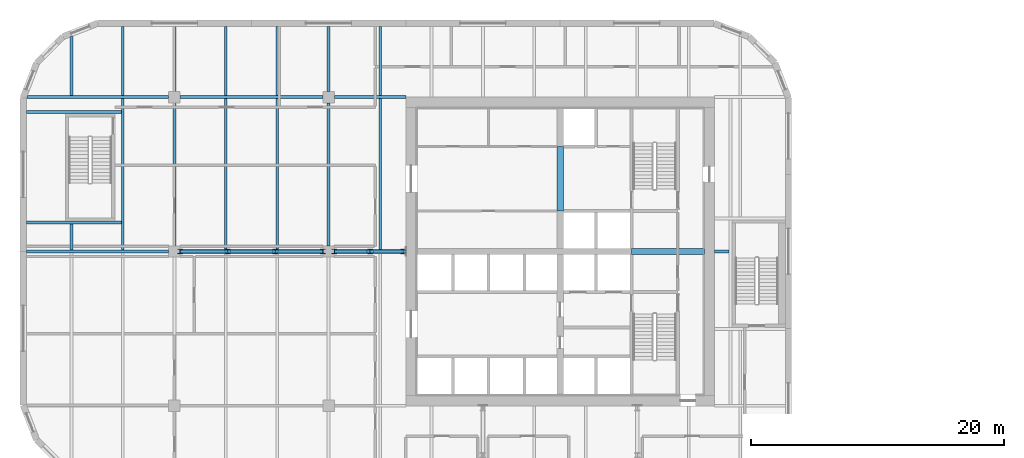
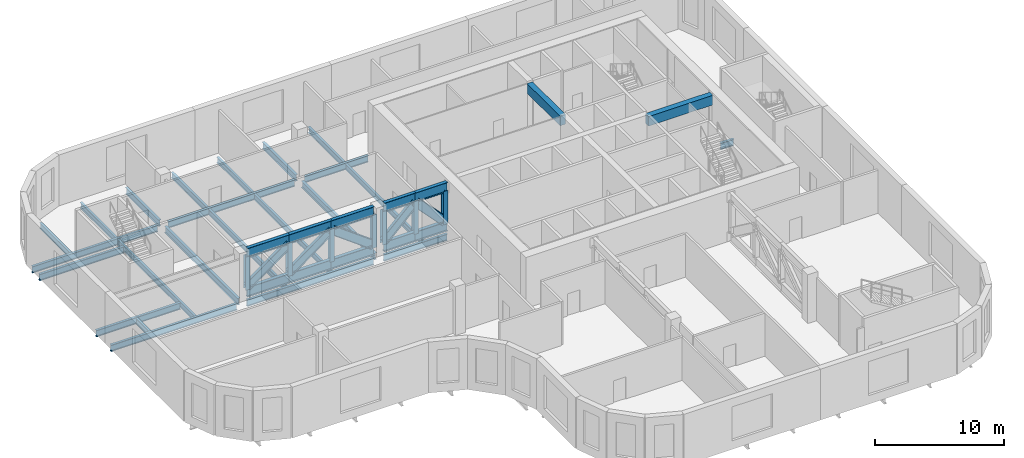
# One storey, part 3 of 21: 35 beams, 12 members.
"""IFC4 building model written with IfcOpenShell, lengths in metres."""

from ifc_helpers import new_model, si_unit, direction, frame, origin, origin_2d, place, context, subcontext, project, spatial, rectangle, i_section, extrude, material, material_profile, profile_set, type_object, element, save


model = new_model("IFC4")

# Units and contexts
model_context = context("Model", 3, precision=1e-05, world=origin(), true_north=direction((0.0, 1.0)))
body_context = subcontext(model_context, "Body", "Model", "MODEL_VIEW")
ifc_project = project(units=[si_unit("LENGTHUNIT", "METRE"), si_unit("AREAUNIT", "SQUARE_METRE"), si_unit("VOLUMEUNIT", "CUBIC_METRE"), si_unit("PLANEANGLEUNIT", "RADIAN"), si_unit("MASSUNIT", "GRAM", prefix="KILO")], contexts=[model_context])

# Site, building, storey
site_placement = place(None, origin())
site = spatial("IfcSite", under=ifc_project, at=site_placement, CompositionType="ELEMENT")
building_placement = place(site_placement, origin())
building = spatial("IfcBuilding", under=site, at=building_placement, Name="Tessera Gate Towers", CompositionType="ELEMENT")
storey_placement = place(building_placement, frame((0.0, 0.0, 63.800048828125)))
storey = spatial("IfcBuildingStorey", under=building, at=storey_placement, Name="L15", CompositionType="ELEMENT", Elevation=63.800048828125)

# Beams
ifc_material_1 = material(Name="Concrete C60/75", Category="concrete")
ifc_material_profile_1 = material_profile(ifc_material_1, rectangle(XDim=0.5, YDim=0.89990234375, at=origin_2d()), Name="RC 500x900")
ifc_profile_set_1 = profile_set([ifc_material_profile_1], Name="Concrete C60/75")
beam_type_1 = type_object("IfcBeamType", Name="COUPLING BEAM 500x900 C60/75", PredefinedType="BEAM", material=ifc_profile_set_1)
beam_1_placement = place(storey_placement, frame((48.35009765625, 36.60009765625, 4.14990234375), z_axis=(1.0, 0.0, 0.0), x_axis=(0.0, 1.0, 0.0)))
element("IfcBeam", 1, at=beam_1_placement, inside=storey, type_object=beam_type_1, Name="L15 coupling beam 1", PredefinedType="BEAM", context=body_context, shape_type="SweptSolid", body=[
    extrude(rectangle(XDim=0.5, YDim=0.89990234375, at=origin_2d()), origin(), (0.0, 0.0, 1.0), 5.75),
])
beam_2_placement = place(storey_placement, frame((42.699951171875, 39.800048828125, 4.14990234375), z_axis=(0.0, 1.0, 0.0), x_axis=(-1.0, 0.0, 0.0)))
element("IfcBeam", 2, at=beam_2_placement, inside=storey, type_object=beam_type_1, Name="L15 coupling beam 2", PredefinedType="BEAM", context=body_context, shape_type="SweptSolid", body=[
    extrude(rectangle(XDim=0.5, YDim=0.89990234375, at=origin_2d()), origin(), (0.0, 0.0, 1.0), 5.099853515625),
])
ifc_material_2 = material(Name="Steel 350W", Category="steel")
ifc_material_profile_2 = material_profile(ifc_material_2, i_section(OverallWidth=0.22900390625, OverallDepth=0.612060546875, WebThickness=0.011962890625, FlangeThickness=0.01953125, at=origin_2d()), Name="W610x125")
ifc_profile_set_2 = profile_set([ifc_material_profile_2], Name="Steel 350W")
beam_type_2 = type_object("IfcBeamType", Name="FLOOR GIRDER W610x125", PredefinedType="BEAM", material=ifc_profile_set_2)
beam_3_placement = place(storey_placement, frame((0.4990234375, 36.60009765625, -0.60595703125), z_axis=(1.0, 0.0, 0.0), x_axis=(0.0, 1.0, 0.0)))
element("IfcBeam", 3, at=beam_3_placement, inside=storey, type_object=beam_type_2, Name="T1-GD-L15-2116", PredefinedType="BEAM", context=body_context, shape_type="SweptSolid", body=[
    extrude(i_section(OverallWidth=0.22900390625, OverallDepth=0.612060546875, WebThickness=0.011962890625, FlangeThickness=0.01953125, at=origin_2d()), origin(), (0.0, 0.0, 1.0), 11.2509765625),
])
beam_4_placement = place(storey_placement, frame((12.64990234375, 36.60009765625, -0.60595703125), z_axis=(1.0, 0.0, 0.0), x_axis=(0.0, 1.0, 0.0)))
element("IfcBeam", 4, at=beam_4_placement, inside=storey, type_object=beam_type_2, Name="T1-GD-L15-2117", PredefinedType="BEAM", context=body_context, shape_type="SweptSolid", body=[
    extrude(i_section(OverallWidth=0.22900390625, OverallDepth=0.612060546875, WebThickness=0.011962890625, FlangeThickness=0.01953125, at=origin_2d()), origin(), (0.0, 0.0, 1.0), 11.300048828125),
])
beam_5_placement = place(storey_placement, frame((24.85009765625, 36.60009765625, -0.60595703125), z_axis=(1.0, 0.0, 0.0), x_axis=(0.0, 1.0, 0.0)))
element("IfcBeam", 5, at=beam_5_placement, inside=storey, type_object=beam_type_2, Name="T1-GD-L15-2118", PredefinedType="BEAM", context=body_context, shape_type="SweptSolid", body=[
    extrude(i_section(OverallWidth=0.22900390625, OverallDepth=0.612060546875, WebThickness=0.011962890625, FlangeThickness=0.01953125, at=origin_2d()), origin(), (0.0, 0.0, 1.0), 5.65087890625),
])
beam_6_placement = place(storey_placement, frame((54.89892578125, 36.60009765625, -0.60595703125), z_axis=(1.0, 0.0, 0.0), x_axis=(0.0, 1.0, 0.0)))
element("IfcBeam", 6, at=beam_6_placement, inside=storey, type_object=beam_type_2, Name="T1-GD-L15-2119", PredefinedType="BEAM", context=body_context, shape_type="SweptSolid", body=[
    extrude(i_section(OverallWidth=0.22900390625, OverallDepth=0.612060546875, WebThickness=0.011962890625, FlangeThickness=0.01953125, at=origin_2d()), origin(), (0.0, 0.0, 1.0), 1.16650390625),
])
beam_7_placement = place(storey_placement, frame((0.534912109375, 48.800048828125, -0.60595703125), z_axis=(1.0, 0.0, 0.0), x_axis=(0.0, 1.0, 0.0)))
element("IfcBeam", 7, at=beam_7_placement, inside=storey, type_object=beam_type_2, Name="T1-GD-L15-2120", PredefinedType="BEAM", context=body_context, shape_type="SweptSolid", body=[
    extrude(i_section(OverallWidth=0.22900390625, OverallDepth=0.612060546875, WebThickness=0.011962890625, FlangeThickness=0.01953125, at=origin_2d()), origin(), (0.0, 0.0, 1.0), 11.215087890625),
])
beam_8_placement = place(storey_placement, frame((12.64990234375, 48.800048828125, -0.60595703125), z_axis=(1.0, 0.0, 0.0), x_axis=(0.0, 1.0, 0.0)))
element("IfcBeam", 8, at=beam_8_placement, inside=storey, type_object=beam_type_2, Name="T1-GD-L15-2121", PredefinedType="BEAM", context=body_context, shape_type="SweptSolid", body=[
    extrude(i_section(OverallWidth=0.22900390625, OverallDepth=0.612060546875, WebThickness=0.011962890625, FlangeThickness=0.01953125, at=origin_2d()), origin(), (0.0, 0.0, 1.0), 11.300048828125),
])
beam_9_placement = place(storey_placement, frame((24.85009765625, 48.800048828125, -0.60595703125), z_axis=(1.0, 0.0, 0.0), x_axis=(0.0, 1.0, 0.0)))
element("IfcBeam", 9, at=beam_9_placement, inside=storey, type_object=beam_type_2, Name="T1-GD-L15-2122", PredefinedType="BEAM", context=body_context, shape_type="SweptSolid", body=[
    extrude(i_section(OverallWidth=0.22900390625, OverallDepth=0.612060546875, WebThickness=0.011962890625, FlangeThickness=0.01953125, at=origin_2d()), origin(), (0.0, 0.0, 1.0), 5.64892578125),
])
beam_10_placement = place(storey_placement, frame((12.199951171875, 37.050048828125, -0.60595703125), z_axis=(0.0, 1.0, 0.0), x_axis=(-1.0, 0.0, 0.0)))
element("IfcBeam", 10, at=beam_10_placement, inside=storey, type_object=beam_type_2, Name="T1-GD-L15-2126", PredefinedType="BEAM", context=body_context, shape_type="SweptSolid", body=[
    extrude(i_section(OverallWidth=0.22900390625, OverallDepth=0.612060546875, WebThickness=0.011962890625, FlangeThickness=0.01953125, at=origin_2d()), origin(), (0.0, 0.0, 1.0), 11.300048828125),
])
beam_11_placement = place(storey_placement, frame((12.199951171875, 49.25, -0.60595703125), z_axis=(0.0, 1.0, 0.0), x_axis=(-1.0, 0.0, 0.0)))
element("IfcBeam", 11, at=beam_11_placement, inside=storey, type_object=beam_type_2, Name="T1-GD-L15-2127", PredefinedType="BEAM", context=body_context, shape_type="SweptSolid", body=[
    extrude(i_section(OverallWidth=0.22900390625, OverallDepth=0.612060546875, WebThickness=0.011962890625, FlangeThickness=0.01953125, at=origin_2d()), origin(), (0.0, 0.0, 1.0), 5.15087890625),
])
beam_12_placement = place(storey_placement, frame((24.39990234375, 37.050048828125, -0.60595703125), z_axis=(0.0, 1.0, 0.0), x_axis=(-1.0, 0.0, 0.0)))
element("IfcBeam", 12, at=beam_12_placement, inside=storey, type_object=beam_type_2, Name="T1-GD-L15-2130", PredefinedType="BEAM", context=body_context, shape_type="SweptSolid", body=[
    extrude(i_section(OverallWidth=0.22900390625, OverallDepth=0.612060546875, WebThickness=0.011962890625, FlangeThickness=0.01953125, at=origin_2d()), origin(), (0.0, 0.0, 1.0), 11.300048828125),
])
beam_13_placement = place(storey_placement, frame((24.39990234375, 49.25, -0.60595703125), z_axis=(0.0, 1.0, 0.0), x_axis=(-1.0, 0.0, 0.0)))
element("IfcBeam", 13, at=beam_13_placement, inside=storey, type_object=beam_type_2, Name="T1-GD-L15-2131", PredefinedType="BEAM", context=body_context, shape_type="SweptSolid", body=[
    extrude(i_section(OverallWidth=0.22900390625, OverallDepth=0.612060546875, WebThickness=0.011962890625, FlangeThickness=0.01953125, at=origin_2d()), origin(), (0.0, 0.0, 1.0), 5.15087890625),
])
for number, where, z_axis, x_axis, name in (
    (14, (0.4990234375, 38.8798828125, -0.60595703125), (1.0, 0.0, 0.0), (0.0, 1.0, 0.0), "T1-GD-L15-2136"),
    (15, (0.4990234375, 47.6201171875, -0.60595703125), (1.0, 0.0, 0.0), (0.0, 1.0, 0.0), "T1-GD-L15-2137"),
):
    element("IfcBeam", number, at=place(storey_placement, frame(where, z_axis=z_axis, x_axis=x_axis)), inside=storey, type_object=beam_type_2, Name=name, PredefinedType="BEAM", context=body_context, shape_type="SweptSolid", body=[
        extrude(i_section(OverallWidth=0.22900390625, OverallDepth=0.612060546875, WebThickness=0.011962890625, FlangeThickness=0.01953125, at=origin_2d()), origin(), (0.0, 0.0, 1.0), 7.52978515625),
    ])
ifc_material_3 = material(Name="Steel 350W", Category="steel")
ifc_material_profile_3 = material_profile(ifc_material_3, i_section(OverallWidth=0.208984375, OverallDepth=0.528076171875, WebThickness=0.009521484375, FlangeThickness=0.01318359375, at=origin_2d()), Name="W530x82")
ifc_profile_set_3 = profile_set([ifc_material_profile_3], Name="Steel 350W")
beam_type_3 = type_object("IfcBeamType", Name="FLOOR SECONDARY W530x82", PredefinedType="BEAM", material=ifc_profile_set_3)
beam_14_placement = place(storey_placement, frame((4.066650390625, 36.714599609375, -0.56396484375), z_axis=(0.0, 1.0, 0.0), x_axis=(-1.0, 0.0, 0.0)))
element("IfcBeam", 16, at=beam_14_placement, inside=storey, type_object=beam_type_3, Name="T1-BM-L15-2145", PredefinedType="BEAM", context=body_context, shape_type="SweptSolid", body=[
    extrude(i_section(OverallWidth=0.208984375, OverallDepth=0.528076171875, WebThickness=0.009521484375, FlangeThickness=0.01318359375, at=origin_2d()), origin(), (0.0, 0.0, 1.0), 2.05078125),
])
beam_15_placement = place(storey_placement, frame((4.066650390625, 48.91455078125, -0.56396484375), z_axis=(0.0, 1.0, 0.0), x_axis=(-1.0, 0.0, 0.0)))
element("IfcBeam", 17, at=beam_15_placement, inside=storey, type_object=beam_type_3, Name="T1-BM-L15-2146", PredefinedType="BEAM", context=body_context, shape_type="SweptSolid", body=[
    extrude(i_section(OverallWidth=0.208984375, OverallDepth=0.528076171875, WebThickness=0.009521484375, FlangeThickness=0.01318359375, at=origin_2d()), origin(), (0.0, 0.0, 1.0), 4.6650390625),
])
beam_16_placement = place(storey_placement, frame((8.13330078125, 36.714599609375, -0.56396484375), z_axis=(0.0, 1.0, 0.0), x_axis=(-1.0, 0.0, 0.0)))
element("IfcBeam", 18, at=beam_16_placement, inside=storey, type_object=beam_type_3, Name="T1-BM-L15-2149", PredefinedType="BEAM", context=body_context, shape_type="SweptSolid", body=[
    extrude(i_section(OverallWidth=0.208984375, OverallDepth=0.528076171875, WebThickness=0.009521484375, FlangeThickness=0.01318359375, at=origin_2d()), origin(), (0.0, 0.0, 1.0), 11.970947265625),
])
beam_17_placement = place(storey_placement, frame((8.13330078125, 48.91455078125, -0.56396484375), z_axis=(0.0, 1.0, 0.0), x_axis=(-1.0, 0.0, 0.0)))
element("IfcBeam", 19, at=beam_17_placement, inside=storey, type_object=beam_type_3, Name="T1-BM-L15-2150", PredefinedType="BEAM", context=body_context, shape_type="SweptSolid", body=[
    extrude(i_section(OverallWidth=0.208984375, OverallDepth=0.528076171875, WebThickness=0.009521484375, FlangeThickness=0.01318359375, at=origin_2d()), origin(), (0.0, 0.0, 1.0), 5.4853515625),
])
beam_18_placement = place(storey_placement, frame((16.2666015625, 36.714599609375, -0.56396484375), z_axis=(0.0, 1.0, 0.0), x_axis=(-1.0, 0.0, 0.0)))
element("IfcBeam", 20, at=beam_18_placement, inside=storey, type_object=beam_type_3, Name="T1-BM-L15-2153", PredefinedType="BEAM", context=body_context, shape_type="SweptSolid", body=[
    extrude(i_section(OverallWidth=0.208984375, OverallDepth=0.528076171875, WebThickness=0.009521484375, FlangeThickness=0.01318359375, at=origin_2d()), origin(), (0.0, 0.0, 1.0), 11.970947265625),
])
beam_19_placement = place(storey_placement, frame((16.2666015625, 48.91455078125, -0.56396484375), z_axis=(0.0, 1.0, 0.0), x_axis=(-1.0, 0.0, 0.0)))
element("IfcBeam", 21, at=beam_19_placement, inside=storey, type_object=beam_type_3, Name="T1-BM-L15-2154", PredefinedType="BEAM", context=body_context, shape_type="SweptSolid", body=[
    extrude(i_section(OverallWidth=0.208984375, OverallDepth=0.528076171875, WebThickness=0.009521484375, FlangeThickness=0.01318359375, at=origin_2d()), origin(), (0.0, 0.0, 1.0), 5.4853515625),
])
beam_20_placement = place(storey_placement, frame((20.333251953125, 36.714599609375, -0.56396484375), z_axis=(0.0, 1.0, 0.0), x_axis=(-1.0, 0.0, 0.0)))
element("IfcBeam", 22, at=beam_20_placement, inside=storey, type_object=beam_type_3, Name="T1-BM-L15-2157", PredefinedType="BEAM", context=body_context, shape_type="SweptSolid", body=[
    extrude(i_section(OverallWidth=0.208984375, OverallDepth=0.528076171875, WebThickness=0.009521484375, FlangeThickness=0.01318359375, at=origin_2d()), origin(), (0.0, 0.0, 1.0), 11.970947265625),
])
beam_21_placement = place(storey_placement, frame((20.333251953125, 48.91455078125, -0.56396484375), z_axis=(0.0, 1.0, 0.0), x_axis=(-1.0, 0.0, 0.0)))
element("IfcBeam", 23, at=beam_21_placement, inside=storey, type_object=beam_type_3, Name="T1-BM-L15-2158", PredefinedType="BEAM", context=body_context, shape_type="SweptSolid", body=[
    extrude(i_section(OverallWidth=0.208984375, OverallDepth=0.528076171875, WebThickness=0.009521484375, FlangeThickness=0.01318359375, at=origin_2d()), origin(), (0.0, 0.0, 1.0), 5.4853515625),
])
beam_22_placement = place(storey_placement, frame((28.466796875, 36.714599609375, -0.56396484375), z_axis=(0.0, 1.0, 0.0), x_axis=(-1.0, 0.0, 0.0)))
element("IfcBeam", 24, at=beam_22_placement, inside=storey, type_object=beam_type_3, Name="T1-BM-L15-2162", PredefinedType="BEAM", context=body_context, shape_type="SweptSolid", body=[
    extrude(i_section(OverallWidth=0.208984375, OverallDepth=0.528076171875, WebThickness=0.009521484375, FlangeThickness=0.01318359375, at=origin_2d()), origin(), (0.0, 0.0, 1.0), 11.970947265625),
])
beam_23_placement = place(storey_placement, frame((28.466796875, 48.91455078125, -0.56396484375), z_axis=(0.0, 1.0, 0.0), x_axis=(-1.0, 0.0, 0.0)))
element("IfcBeam", 25, at=beam_23_placement, inside=storey, type_object=beam_type_3, Name="T1-BM-L15-2163", PredefinedType="BEAM", context=body_context, shape_type="SweptSolid", body=[
    extrude(i_section(OverallWidth=0.208984375, OverallDepth=0.528076171875, WebThickness=0.009521484375, FlangeThickness=0.01318359375, at=origin_2d()), origin(), (0.0, 0.0, 1.0), 5.4853515625),
])

# Members
ifc_material_4 = material(Name="Steel 350W", Category="steel")
ifc_material_profile_4 = material_profile(ifc_material_4, i_section(OverallWidth=0.26806640625, OverallDepth=0.77001953125, WebThickness=0.015625, FlangeThickness=0.025390625, at=origin_2d()), Name="W760x196")
ifc_profile_set_4 = profile_set([ifc_material_profile_4], Name="Steel 350W")
member_type_1 = type_object("IfcMemberType", Name="OUTRIGGER BRACE W760x196", PredefinedType="BRACE", material=ifc_profile_set_4)
member_1_placement = place(storey_placement, frame((30.302978515625, 36.60009765625, 0.9150390625), z_axis=(-0.688255254714, 0.0, 0.725468610181), x_axis=(0.0, -1.0, 0.0)))
element("IfcMember", 26, at=member_1_placement, inside=storey, type_object=member_type_1, Name="Outrigger truss T1 L15 W1a brace D1", PredefinedType="BRACE", context=body_context, shape_type="SweptSolid", body=[
    extrude(i_section(OverallWidth=0.26806640625, OverallDepth=0.77001953125, WebThickness=0.015625, FlangeThickness=0.025390625, at=origin_2d()), origin(), (0.0, 0.0, 1.0), 3.818359375),
])
member_2_placement = place(storey_placement, frame((24.85009765625, 36.60009765625, 0.9150390625), z_axis=(0.714014770647, 0.0, 0.70013063588), x_axis=(0.0, 1.0, 0.0)))
element("IfcMember", 27, at=member_2_placement, inside=storey, type_object=member_type_1, Name="Outrigger truss T1 L15 W1a brace D2", PredefinedType="BRACE", context=body_context, shape_type="SweptSolid", body=[
    extrude(i_section(OverallWidth=0.26806640625, OverallDepth=0.77001953125, WebThickness=0.015625, FlangeThickness=0.025390625, at=origin_2d()), origin(), (0.0, 0.0, 1.0), 3.95654296875),
])
for number, where, z_axis, x_axis, name in (
    (28, (23.949951171875, 36.60009765625, 0.9150390625), (-0.805604099835, 0.0, 0.592454246612), (0.0, -1.0, 0.0), "Outrigger truss T1 L15 W1b brace D1"),
    (29, (16.416748046875, 36.60009765625, 0.9150390625), (0.805604099835, 0.0, 0.592454246612), (0.0, 1.0, 0.0), "Outrigger truss T1 L15 W1b brace D2"),
):
    element("IfcMember", number, at=place(storey_placement, frame(where, z_axis=z_axis, x_axis=x_axis)), inside=storey, type_object=member_type_1, Name=name, PredefinedType="BRACE", context=body_context, shape_type="SweptSolid", body=[
        extrude(i_section(OverallWidth=0.26806640625, OverallDepth=0.77001953125, WebThickness=0.015625, FlangeThickness=0.025390625, at=origin_2d()), origin(), (0.0, 0.0, 1.0), 4.675537109375),
    ])
member_3_placement = place(storey_placement, frame((12.64990234375, 36.60009765625, 0.9150390625), z_axis=(0.805622426957, 0.0, 0.592429325054), x_axis=(0.0, 1.0, 0.0)))
element("IfcMember", 30, at=member_3_placement, inside=storey, type_object=member_type_1, Name="Outrigger truss T1 L15 W1b brace D3", PredefinedType="BRACE", context=body_context, shape_type="SweptSolid", body=[
    extrude(i_section(OverallWidth=0.26806640625, OverallDepth=0.77001953125, WebThickness=0.015625, FlangeThickness=0.025390625, at=origin_2d()), origin(), (0.0, 0.0, 1.0), 4.67578125),
])

# Beams
ifc_material_5 = material(Name="Steel 350W", Category="steel")
ifc_material_profile_5 = material_profile(ifc_material_5, i_section(OverallWidth=0.304931640625, OverallDepth=0.9150390625, WebThickness=0.01611328125, FlangeThickness=0.02587890625, at=origin_2d()), Name="W920x238")
ifc_profile_set_5 = profile_set([ifc_material_profile_5], Name="Steel 350W")
beam_type_4 = type_object("IfcBeamType", Name="OUTRIGGER CHORD W920x238", PredefinedType="BEAM", material=ifc_profile_set_5)
for number, where, z_axis, x_axis, name in (
    (31, (30.5, 36.60009765625, 4.142333984375), (-1.0, 0.0, 0.0), (0.0, -1.0, 0.0), "Outrigger truss T1 L15 W1a top chord TC1"),
    (32, (30.5, 36.60009765625, 0.45751953125), (-1.0, 0.0, 0.0), (0.0, -1.0, 0.0), "Outrigger truss T1 L15 W1a bottom chord BC1"),
    (33, (27.675048828125, 36.60009765625, 4.142333984375), (-1.0, 0.0, 0.0), (0.0, -1.0, 0.0), "Outrigger truss T1 L15 W1a top chord TC2"),
    (34, (27.675048828125, 36.60009765625, 0.45751953125), (-1.0, 0.0, 0.0), (0.0, -1.0, 0.0), "Outrigger truss T1 L15 W1a bottom chord BC2"),
):
    element("IfcBeam", number, at=place(storey_placement, frame(where, z_axis=z_axis, x_axis=x_axis)), inside=storey, type_object=beam_type_4, Name=name, PredefinedType="BEAM", context=body_context, shape_type="SweptSolid", body=[
        extrude(i_section(OverallWidth=0.304931640625, OverallDepth=0.9150390625, WebThickness=0.01611328125, FlangeThickness=0.02587890625, at=origin_2d()), origin(), (0.0, 0.0, 1.0), 2.824951171875),
    ])
for number, where, z_axis, x_axis, name in (
    (35, (23.949951171875, 36.60009765625, 4.142333984375), (-1.0, 0.0, 0.0), (0.0, -1.0, 0.0), "Outrigger truss T1 L15 W1b top chord TC1"),
    (36, (23.949951171875, 36.60009765625, 0.45751953125), (-1.0, 0.0, 0.0), (0.0, -1.0, 0.0), "Outrigger truss T1 L15 W1b bottom chord BC1"),
    (37, (20.183349609375, 36.60009765625, 4.142333984375), (-1.0, 0.0, 0.0), (0.0, -1.0, 0.0), "Outrigger truss T1 L15 W1b top chord TC2"),
    (38, (20.183349609375, 36.60009765625, 0.45751953125), (-1.0, 0.0, 0.0), (0.0, -1.0, 0.0), "Outrigger truss T1 L15 W1b bottom chord BC2"),
):
    element("IfcBeam", number, at=place(storey_placement, frame(where, z_axis=z_axis, x_axis=x_axis)), inside=storey, type_object=beam_type_4, Name=name, PredefinedType="BEAM", context=body_context, shape_type="SweptSolid", body=[
        extrude(i_section(OverallWidth=0.304931640625, OverallDepth=0.9150390625, WebThickness=0.01611328125, FlangeThickness=0.02587890625, at=origin_2d()), origin(), (0.0, 0.0, 1.0), 3.7666015625),
    ])
for number, where, z_axis, x_axis, name in (
    (39, (16.416748046875, 36.60009765625, 4.142333984375), (-1.0, 0.0, 0.0), (0.0, -1.0, 0.0), "Outrigger truss T1 L15 W1b top chord TC3"),
    (40, (16.416748046875, 36.60009765625, 0.45751953125), (-1.0, 0.0, 0.0), (0.0, -1.0, 0.0), "Outrigger truss T1 L15 W1b bottom chord BC3"),
):
    element("IfcBeam", number, at=place(storey_placement, frame(where, z_axis=z_axis, x_axis=x_axis)), inside=storey, type_object=beam_type_4, Name=name, PredefinedType="BEAM", context=body_context, shape_type="SweptSolid", body=[
        extrude(i_section(OverallWidth=0.304931640625, OverallDepth=0.9150390625, WebThickness=0.01611328125, FlangeThickness=0.02587890625, at=origin_2d()), origin(), (0.0, 0.0, 1.0), 3.766845703125),
    ])

# Members
ifc_material_6 = material(Name="Steel 350W", Category="steel")
ifc_material_profile_6 = material_profile(ifc_material_6, i_section(OverallWidth=0.39404296875, OverallDepth=0.375, WebThickness=0.017333984375, FlangeThickness=0.027587890625, at=origin_2d()), Name="W360x216")
ifc_profile_set_6 = profile_set([ifc_material_profile_6], Name="Steel 350W")
member_type_2 = type_object("IfcMemberType", Name="OUTRIGGER POST W360x216", PredefinedType="POST", material=ifc_profile_set_6)
for number, where, z_axis, x_axis, name in (
    (41, (30.302978515625, 36.60009765625, 0.732421875), (0.0, 0.0, 1.0), (1.0, 0.0, 0.0), "Outrigger truss T1 L15 W1a post V0"),
    (42, (27.675048828125, 36.60009765625, 0.732421875), (0.0, 0.0, 1.0), (1.0, 0.0, 0.0), "Outrigger truss T1 L15 W1a post V1"),
    (43, (24.85009765625, 36.60009765625, 0.732421875), (0.0, 0.0, 1.0), (1.0, 0.0, 0.0), "Outrigger truss T1 L15 W1a post V2"),
    (44, (23.949951171875, 36.60009765625, 0.732421875), (0.0, 0.0, 1.0), (1.0, 0.0, 0.0), "Outrigger truss T1 L15 W1b post V0"),
    (45, (20.183349609375, 36.60009765625, 0.732421875), (0.0, 0.0, 1.0), (1.0, 0.0, 0.0), "Outrigger truss T1 L15 W1b post V1"),
    (46, (16.416748046875, 36.60009765625, 0.732421875), (0.0, 0.0, 1.0), (1.0, 0.0, 0.0), "Outrigger truss T1 L15 W1b post V2"),
    (47, (12.64990234375, 36.60009765625, 0.732421875), (0.0, 0.0, 1.0), (1.0, 0.0, 0.0), "Outrigger truss T1 L15 W1b post V3"),
):
    element("IfcMember", number, at=place(storey_placement, frame(where, z_axis=z_axis, x_axis=x_axis)), inside=storey, type_object=member_type_2, Name=name, PredefinedType="POST", context=body_context, shape_type="SweptSolid", body=[
        extrude(i_section(OverallWidth=0.39404296875, OverallDepth=0.375, WebThickness=0.017333984375, FlangeThickness=0.027587890625, at=origin_2d()), origin(), (0.0, 0.0, 1.0), 3.135009765625),
    ])

save(model, "model.ifc")
